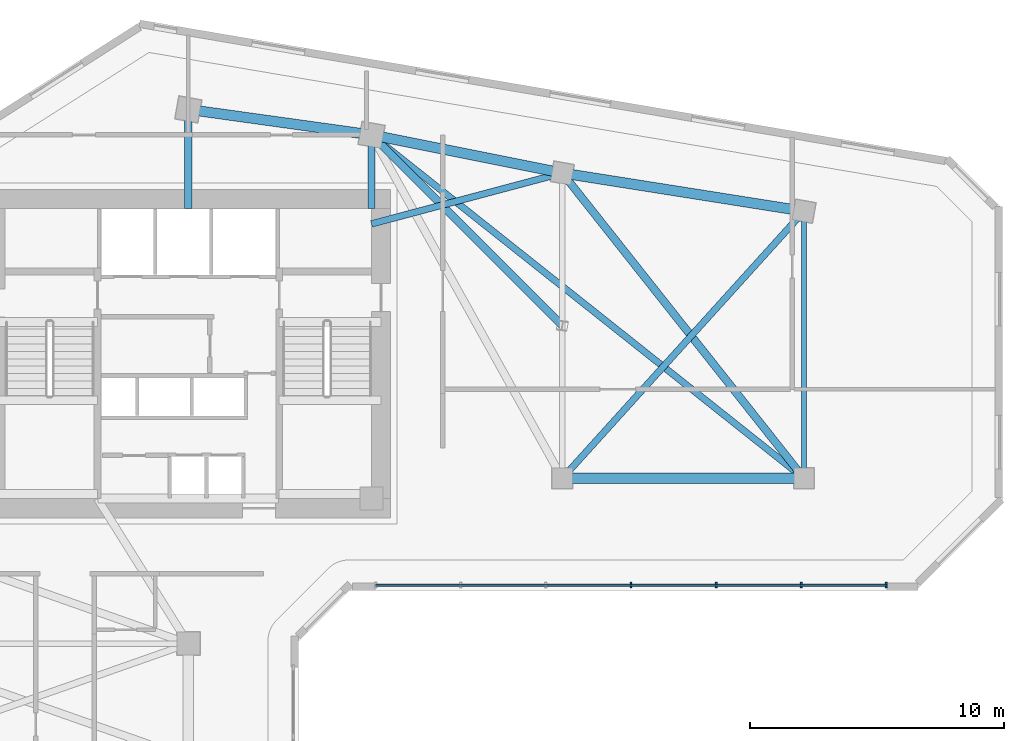
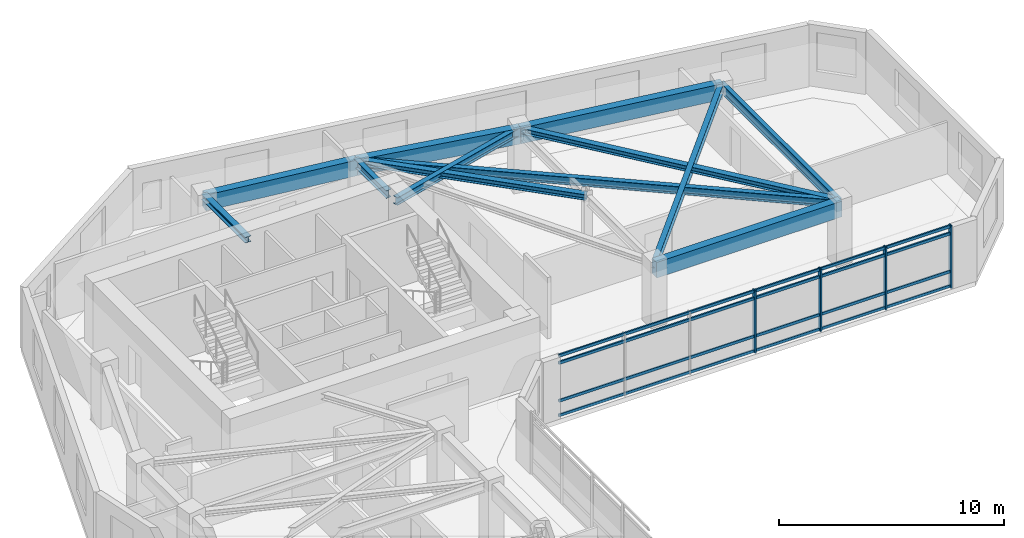
# One storey, part 3 of 10: 12 beams, 8 members, 1 element without a shape of its own.
"""IFC4 building model written with IfcOpenShell, lengths in metres."""

from ifc_helpers import new_model, si_unit, direction, frame, origin, origin_2d, place, context, subcontext, project, spatial, rectangle, i_section, extrude, source, transform, mapped, material, material_profile, profile_set, type_object, element, aggregate, save


model = new_model("IFC4")

# Units and contexts
model_context = context("Model", 3, precision=1e-05, world=origin(), true_north=direction((0.0, 1.0)))
body_context = subcontext(model_context, "Body", "Model", "MODEL_VIEW")
ifc_project = project(units=[si_unit("LENGTHUNIT", "METRE"), si_unit("AREAUNIT", "SQUARE_METRE"), si_unit("VOLUMEUNIT", "CUBIC_METRE"), si_unit("PLANEANGLEUNIT", "RADIAN"), si_unit("MASSUNIT", "GRAM", prefix="KILO")], contexts=[model_context])

# Site, building, storey
site_placement = place(None, origin())
site = spatial("IfcSite", under=ifc_project, at=site_placement, CompositionType="ELEMENT")
building_placement = place(site_placement, origin())
building = spatial("IfcBuilding", under=site, at=building_placement, Name="Calvemar Wedge Station Tower", CompositionType="ELEMENT")
storey_placement = place(building_placement, frame((0.0, 0.0, 164.60009765625)))
storey = spatial("IfcBuildingStorey", under=building, at=storey_placement, Name="L41", CompositionType="ELEMENT", Elevation=164.60009765625)

# Beams
ifc_material_1 = material(Name="Concrete C60", Category="concrete")
ifc_material_profile_1 = material_profile(ifc_material_1, rectangle(XDim=0.39990234375, YDim=0.85009765625, at=origin_2d()), Name="RC400x850")
ifc_profile_set_1 = profile_set([ifc_material_profile_1], Name="Concrete C60")
beam_type_1 = type_object("IfcBeamType", Name="BM-SP1-850", PredefinedType="SPANDREL", material=ifc_profile_set_1)
shared_shape_1 = source(origin(), body_context, "Body", "SweptSolid", [
    extrude(rectangle(XDim=0.39990234375, YDim=0.85009765625, at=origin_2d()), origin(), (0.0, 0.0, 1.0), 7.26904296875),
])
beam_1_placement = place(storey_placement, frame((23.800048828125, 49.5, 2.9248046875), z_axis=(0.990492146053, -0.13756928657, 0.0), x_axis=(0.13756928657, 0.990492146053, 0.0)))
element("IfcBeam", 1, at=beam_1_placement, inside=storey, type_object=beam_type_1, Name="Storey L41 Spandrel T-N1-T-N2", PredefinedType="SPANDREL", context=body_context, shape_type="MappedRepresentation", body=[
    mapped(shared_shape_1, transform((0.0, 0.0, 0.0), scale=1.0)),
])
shared_shape_2 = source(origin(), body_context, "Body", "SweptSolid", [
    extrude(rectangle(XDim=0.39990234375, YDim=0.85009765625, at=origin_2d()), origin(), (0.0, 0.0, 1.0), 7.6484375),
])
beam_2_placement = place(storey_placement, frame((31.0, 48.5, 2.9248046875), z_axis=(0.980580675691, -0.196116135138, 0.0), x_axis=(0.196116135138, 0.980580675691, 0.0)))
element("IfcBeam", 2, at=beam_2_placement, inside=storey, type_object=beam_type_1, Name="Storey L41 Spandrel T-N2-T-NU3", PredefinedType="SPANDREL", context=body_context, shape_type="MappedRepresentation", body=[
    mapped(shared_shape_2, transform((0.0, 0.0, 0.0), scale=1.0)),
])
shared_shape_3 = source(origin(), body_context, "Body", "SweptSolid", [
    extrude(rectangle(XDim=0.39990234375, YDim=0.85009765625, at=origin_2d()), origin(), (0.0, 0.0, 1.0), 9.61767578125),
])
beam_3_placement = place(storey_placement, frame((38.5, 47.0, 2.9248046875), z_axis=(0.987762965329, -0.155962573473, 0.0), x_axis=(0.155962573473, 0.987762965329, 0.0)))
element("IfcBeam", 3, at=beam_3_placement, inside=storey, type_object=beam_type_1, Name="Storey L41 Spandrel T-NU3-T-NU4", PredefinedType="SPANDREL", context=body_context, shape_type="MappedRepresentation", body=[
    mapped(shared_shape_3, transform((0.0, 0.0, 0.0), scale=1.0)),
])
shared_shape_4 = source(origin(), body_context, "Body", "SweptSolid", [
    extrude(rectangle(XDim=0.39990234375, YDim=0.85009765625, at=origin_2d()), origin(), (0.0, 0.0, 1.0), 9.5),
])
beam_4_placement = place(storey_placement, frame((38.5, 35.0, 2.9248046875), z_axis=(1.0, 0.0, 0.0), x_axis=(0.0, 1.0, 0.0)))
element("IfcBeam", 4, at=beam_4_placement, inside=storey, type_object=beam_type_1, Name="Storey L41 Spandrel T-NL2-T-NL3", PredefinedType="SPANDREL", context=body_context, shape_type="MappedRepresentation", body=[
    mapped(shared_shape_4, transform((0.0, 0.0, 0.0), scale=1.0)),
])
ifc_material_2 = material(Name="Structural steel ASTM A572 Grade 50", Category="steel")
ifc_material_profile_2 = material_profile(ifc_material_2, i_section(OverallWidth=0.260986328125, OverallDepth=0.419921875, WebThickness=0.01171875, FlangeThickness=0.019287109375, FilletRadius=0.012939453125, at=origin_2d()), Name="W410x114")
ifc_profile_set_2 = profile_set([ifc_material_profile_2], Name="Structural steel ASTM A572 Grade 50")
beam_type_2 = type_object("IfcBeamType", Name="BM-J2-W410H", PredefinedType="JOIST", material=ifc_profile_set_2)
shared_shape_5 = source(origin(), body_context, "Body", "SweptSolid", [
    extrude(i_section(OverallWidth=0.260986328125, OverallDepth=0.419921875, WebThickness=0.01171875, FlangeThickness=0.019287109375, FilletRadius=0.012939453125, at=origin_2d()), origin(), (0.0, 0.0, 1.0), 21.708251953125),
])
beam_5_placement = place(storey_placement, frame((31.0, 48.5, 3.139892578125), z_axis=(0.783110847498, -0.621882143602, 0.0), x_axis=(0.621882143602, 0.783110847498, 0.0)))
element("IfcBeam", 5, at=beam_5_placement, inside=storey, type_object=beam_type_2, Name="Storey L41 Floor Beam T-N2-T-NL3", PredefinedType="JOIST", context=body_context, shape_type="MappedRepresentation", body=[
    mapped(shared_shape_5, transform((0.0, 0.0, 0.0), scale=1.0)),
])
ifc_material_profile_3 = material_profile(ifc_material_2, i_section(OverallWidth=0.304931640625, OverallDepth=0.30810546875, WebThickness=0.010009765625, FlangeThickness=0.015380859375, FilletRadius=0.014892578125, at=origin_2d()), Name="W310x97")
ifc_profile_set_3 = profile_set([ifc_material_profile_3], Name="Structural steel ASTM A572 Grade 50")
beam_type_3 = type_object("IfcBeamType", Name="BM-J6-W310", PredefinedType="JOIST", material=ifc_profile_set_3)
shared_shape_6 = source(origin(), body_context, "Body", "SweptSolid", [
    extrude(i_section(OverallWidth=0.304931640625, OverallDepth=0.30810546875, WebThickness=0.010009765625, FlangeThickness=0.015380859375, FilletRadius=0.014892578125, at=origin_2d()), origin(), (0.0, 0.0, 1.0), 15.30517578125),
])
beam_6_placement = place(storey_placement, frame((38.5, 47.0, 3.19580078125), z_axis=(0.620702944366, -0.784045824462, 0.0), x_axis=(0.784045824462, 0.620702944366, 0.0)))
element("IfcBeam", 6, at=beam_6_placement, inside=storey, type_object=beam_type_3, Name="Storey L41 Floor Beam T-NU3-T-NL3", PredefinedType="JOIST", context=body_context, shape_type="MappedRepresentation", body=[
    mapped(shared_shape_6, transform((0.0, 0.0, 0.0), scale=1.0)),
])
shared_shape_7 = source(origin(), body_context, "Body", "SweptSolid", [
    extrude(i_section(OverallWidth=0.260986328125, OverallDepth=0.419921875, WebThickness=0.01171875, FlangeThickness=0.019287109375, FilletRadius=0.012939453125, at=origin_2d()), origin(), (0.0, 0.0, 1.0), 14.159912109375),
])
beam_7_placement = place(storey_placement, frame((38.5, 35.0, 3.139892578125), z_axis=(0.670913323969, 0.741535779124, 0.0), x_axis=(-0.741535779124, 0.670913323969, 0.0)))
element("IfcBeam", 7, at=beam_7_placement, inside=storey, type_object=beam_type_2, Name="Storey L41 Floor Beam T-NL2-T-NU4", PredefinedType="JOIST", context=body_context, shape_type="MappedRepresentation", body=[
    mapped(shared_shape_7, transform((0.0, 0.0, 0.0), scale=1.0)),
])
shared_shape_8 = source(origin(), body_context, "Body", "SweptSolid", [
    extrude(i_section(OverallWidth=0.260986328125, OverallDepth=0.419921875, WebThickness=0.01171875, FlangeThickness=0.019287109375, FilletRadius=0.012939453125, at=origin_2d()), origin(), (0.0, 0.0, 1.0), 7.76220703125),
])
beam_8_placement = place(storey_placement, frame((31.0, 45.0, 3.139892578125), z_axis=(0.966234939601, 0.25766265056, 0.0), x_axis=(-0.25766265056, 0.966234939601, 0.0)))
element("IfcBeam", 8, at=beam_8_placement, inside=storey, type_object=beam_type_2, Name="Storey L41 Core-to-Column Joist CJ-E2", PredefinedType="JOIST", context=body_context, shape_type="MappedRepresentation", body=[
    mapped(shared_shape_8, transform((0.0, 0.0, 0.0), scale=1.0)),
])
shared_shape_9 = source(origin(), body_context, "Body", "SweptSolid", [
    extrude(i_section(OverallWidth=0.304931640625, OverallDepth=0.30810546875, WebThickness=0.010009765625, FlangeThickness=0.015380859375, FilletRadius=0.014892578125, at=origin_2d()), origin(), (0.0, 0.0, 1.0), 3.89990234375),
])
beam_9_placement = place(storey_placement, frame((23.800048828125, 45.60009765625, 3.19580078125), z_axis=(0.0, 1.0, 0.0), x_axis=(-1.0, 0.0, 0.0)))
element("IfcBeam", 9, at=beam_9_placement, inside=storey, type_object=beam_type_3, Name="Storey L41 Core-to-Column Joist CJ-N1", PredefinedType="JOIST", context=body_context, shape_type="MappedRepresentation", body=[
    mapped(shared_shape_9, transform((0.0, 0.0, 0.0), scale=1.0)),
])
shared_shape_10 = source(origin(), body_context, "Body", "SweptSolid", [
    extrude(i_section(OverallWidth=0.260986328125, OverallDepth=0.419921875, WebThickness=0.01171875, FlangeThickness=0.019287109375, FilletRadius=0.012939453125, at=origin_2d()), origin(), (0.0, 0.0, 1.0), 2.89990234375),
])
beam_10_placement = place(storey_placement, frame((31.0, 45.60009765625, 3.139892578125), z_axis=(0.0, 1.0, 0.0), x_axis=(-1.0, 0.0, 0.0)))
element("IfcBeam", 10, at=beam_10_placement, inside=storey, type_object=beam_type_2, Name="Storey L41 Core-to-Column Joist CJ-N2", PredefinedType="JOIST", context=body_context, shape_type="MappedRepresentation", body=[
    mapped(shared_shape_10, transform((0.0, 0.0, 0.0), scale=1.0)),
])
ifc_material_profile_4 = material_profile(ifc_material_2, i_section(OverallWidth=0.2109375, OverallDepth=0.5390625, WebThickness=0.01171875, FlangeThickness=0.018798828125, FilletRadius=0.012939453125, at=origin_2d()), Name="W530x109")
ifc_profile_set_4 = profile_set([ifc_material_profile_4], Name="Structural steel ASTM A572 Grade 50")
beam_type_4 = type_object("IfcBeamType", Name="BM-SB4-W530", PredefinedType="BEAM", material=ifc_profile_set_4)
shared_shape_11 = source(origin(), body_context, "Body", "SweptSolid", [
    extrude(i_section(OverallWidth=0.2109375, OverallDepth=0.5390625, WebThickness=0.01171875, FlangeThickness=0.018798828125, FilletRadius=0.012939453125, at=origin_2d()), origin(), (0.0, 0.0, 1.0), 10.5),
])
beam_11_placement = place(storey_placement, frame((48.0, 45.5, 3.080322265625), z_axis=(0.0, -1.0, 0.0), x_axis=(1.0, 0.0, 0.0)))
element("IfcBeam", 11, at=beam_11_placement, inside=storey, type_object=beam_type_4, Name="Storey L41 Floor Beam T-NU4-T-NL3", PredefinedType="BEAM", context=body_context, shape_type="MappedRepresentation", body=[
    mapped(shared_shape_11, transform((0.0, 0.0, 0.0), scale=1.0)),
])
shared_shape_12 = source(origin(), body_context, "Body", "SweptSolid", [
    extrude(i_section(OverallWidth=0.304931640625, OverallDepth=0.30810546875, WebThickness=0.010009765625, FlangeThickness=0.015380859375, FilletRadius=0.014892578125, at=origin_2d()), origin(), (0.0, 0.0, 1.0), 10.606689453125),
])
beam_12_placement = place(storey_placement, frame((38.5, 41.0, 3.19580078125), z_axis=(-0.707106781187, 0.707106781187, 0.0), x_axis=(-0.707106781187, -0.707106781187, 0.0)))
element("IfcBeam", 12, at=beam_12_placement, inside=storey, type_object=beam_type_3, Name="Storey L41 Floor Beam T-NTIP-B-T-N2", PredefinedType="JOIST", context=body_context, shape_type="MappedRepresentation", body=[
    mapped(shared_shape_12, transform((0.0, 0.0, 0.0), scale=1.0)),
])

# Curtain wall, members
ifc_material_3 = material(Name="Anodised aluminium 6063-T6", Category="aluminium")
curtain_wall_type = type_object("IfcCurtainWallType", Name="CW2", PredefinedType="NOTDEFINED", material=ifc_material_3)
curtain_wall_placement = place(storey_placement, origin())
curtain_wall = element("IfcCurtainWall", 13, at=curtain_wall_placement, inside=storey, type_object=curtain_wall_type, Name="Storey L41 CW2 Recessed Unitised Curtain Wall 6", PredefinedType="NOTDEFINED")
ifc_material_profile_5 = material_profile(ifc_material_3, rectangle(XDim=0.074951171875, YDim=0.219970703125, at=origin_2d()), Name="AL-MUL-75x220")
ifc_profile_set_5 = profile_set([ifc_material_profile_5], Name="Anodised aluminium 6063-T6")
member_type_1 = type_object("IfcMemberType", Name="CW2-MUL", PredefinedType="MULLION", material=ifc_profile_set_5)
shared_shape_13 = source(origin(), body_context, "Body", "SweptSolid", [
    extrude(rectangle(XDim=0.074951171875, YDim=0.219970703125, at=origin_2d()), origin(), (0.0, 0.0, 1.0), 3.39990234375),
])
member_1_placement = place(storey_placement, frame((41.201904296875, 30.802001953125, -0.050048828125), z_axis=(0.0, 0.0, 1.0), x_axis=(1.0, 0.0, 0.0)))
member_1 = element("IfcMember", 14, at=member_1_placement, type_object=member_type_1, Name="CW2 mullion 4", PredefinedType="MULLION", context=body_context, shape_type="MappedRepresentation", body=[
    mapped(shared_shape_13, transform((0.0, 0.0, 0.0), scale=1.0)),
])
member_2_placement = place(storey_placement, frame((44.547119140625, 30.802001953125, -0.050048828125), z_axis=(0.0, 0.0, 1.0), x_axis=(1.0, 0.0, 0.0)))
member_2 = element("IfcMember", 15, at=member_2_placement, type_object=member_type_1, Name="CW2 mullion 5", PredefinedType="MULLION", context=body_context, shape_type="MappedRepresentation", body=[
    mapped(shared_shape_13, transform((0.0, 0.0, 0.0), scale=1.0)),
])
member_3_placement = place(storey_placement, frame((47.892578125, 30.802001953125, -0.050048828125), z_axis=(0.0, 0.0, 1.0), x_axis=(1.0, 0.0, 0.0)))
member_3 = element("IfcMember", 16, at=member_3_placement, type_object=member_type_1, Name="CW2 mullion 6", PredefinedType="MULLION", context=body_context, shape_type="MappedRepresentation", body=[
    mapped(shared_shape_13, transform((0.0, 0.0, 0.0), scale=1.0)),
])
member_4_placement = place(storey_placement, frame((51.23779296875, 30.802001953125, -0.050048828125), z_axis=(0.0, 0.0, 1.0), x_axis=(1.0, 0.0, 0.0)))
member_4 = element("IfcMember", 17, at=member_4_placement, type_object=member_type_1, Name="CW2 mullion 7", PredefinedType="MULLION", context=body_context, shape_type="MappedRepresentation", body=[
    mapped(shared_shape_13, transform((0.0, 0.0, 0.0), scale=1.0)),
])
ifc_material_profile_6 = material_profile(ifc_material_3, rectangle(XDim=0.074951171875, YDim=0.14990234375, at=origin_2d()), Name="AL-TRN-75x150")
ifc_profile_set_6 = profile_set([ifc_material_profile_6], Name="Anodised aluminium 6063-T6")
member_type_2 = type_object("IfcMemberType", Name="CW2-TRN", PredefinedType="USERDEFINED", material=ifc_profile_set_6)
shared_shape_14 = source(origin(), body_context, "Body", "SweptSolid", [
    extrude(rectangle(XDim=0.074951171875, YDim=0.14990234375, at=origin_2d()), origin(), (0.0, 0.0, 1.0), 20.07177734375),
])
member_5_placement = place(storey_placement, frame((31.166015625, 30.802001953125, 0.059814453125), z_axis=(1.0, 0.0, 0.0), x_axis=(0.0, 1.0, 0.0)))
member_5 = element("IfcMember", 18, at=member_5_placement, type_object=member_type_2, Name="CW2 transom 1", ObjectType="TRANSOM", PredefinedType="USERDEFINED", context=body_context, shape_type="MappedRepresentation", body=[
    mapped(shared_shape_14, transform((0.0, 0.0, 0.0), scale=1.0)),
])
member_6_placement = place(storey_placement, frame((31.166015625, 30.802001953125, 0.849853515625), z_axis=(1.0, 0.0, 0.0), x_axis=(0.0, 1.0, 0.0)))
member_6 = element("IfcMember", 19, at=member_6_placement, type_object=member_type_2, Name="CW2 transom 2", ObjectType="TRANSOM", PredefinedType="USERDEFINED", context=body_context, shape_type="MappedRepresentation", body=[
    mapped(shared_shape_14, transform((0.0, 0.0, 0.0), scale=1.0)),
])
member_7_placement = place(storey_placement, frame((31.166015625, 30.802001953125, 2.89990234375), z_axis=(1.0, 0.0, 0.0), x_axis=(0.0, 1.0, 0.0)))
member_7 = element("IfcMember", 20, at=member_7_placement, type_object=member_type_2, Name="CW2 transom 3", ObjectType="TRANSOM", PredefinedType="USERDEFINED", context=body_context, shape_type="MappedRepresentation", body=[
    mapped(shared_shape_14, transform((0.0, 0.0, 0.0), scale=1.0)),
])
member_8_placement = place(storey_placement, frame((31.166015625, 30.802001953125, 3.289794921875), z_axis=(1.0, 0.0, 0.0), x_axis=(0.0, 1.0, 0.0)))
member_8 = element("IfcMember", 21, at=member_8_placement, type_object=member_type_2, Name="CW2 transom 4", ObjectType="TRANSOM", PredefinedType="USERDEFINED", context=body_context, shape_type="MappedRepresentation", body=[
    mapped(shared_shape_14, transform((0.0, 0.0, 0.0), scale=1.0)),
])
aggregate(curtain_wall, [member_1, member_2, member_3, member_4, member_5, member_6, member_7, member_8])

save(model, "model.ifc")
